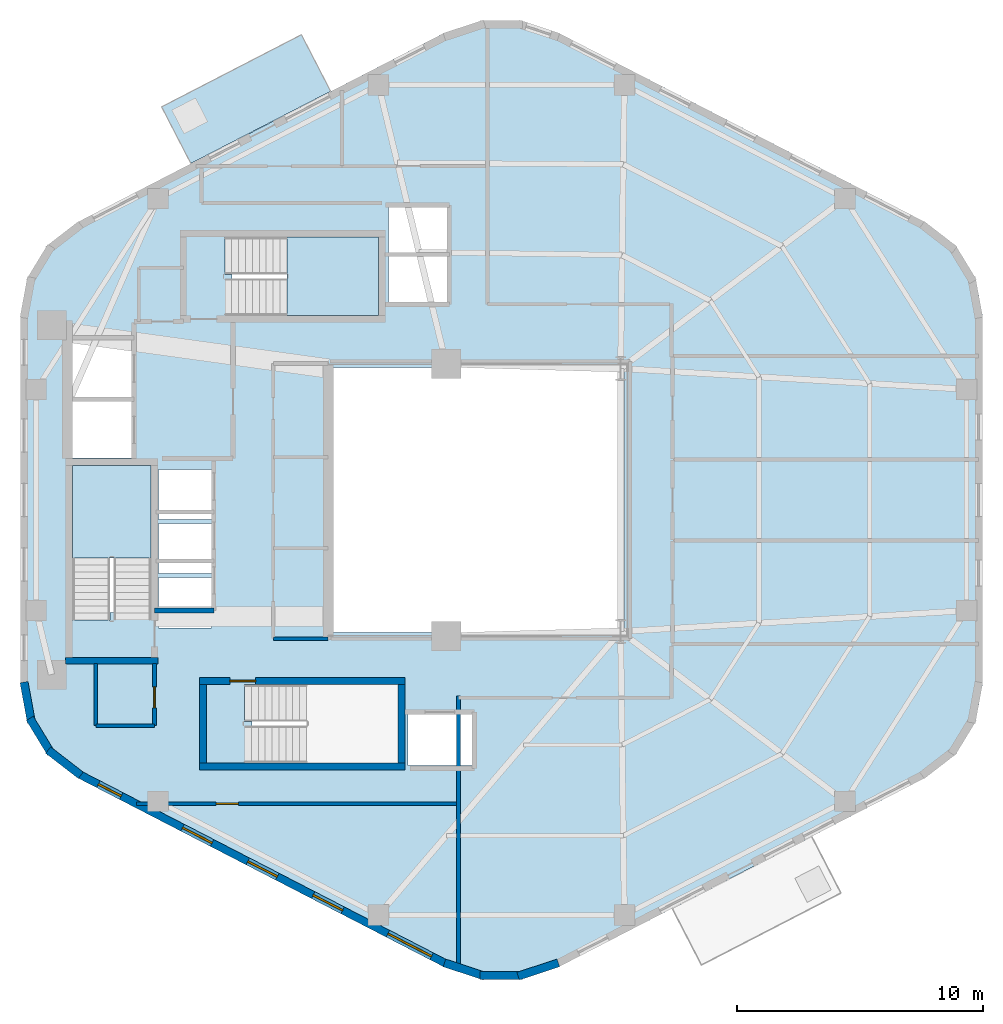
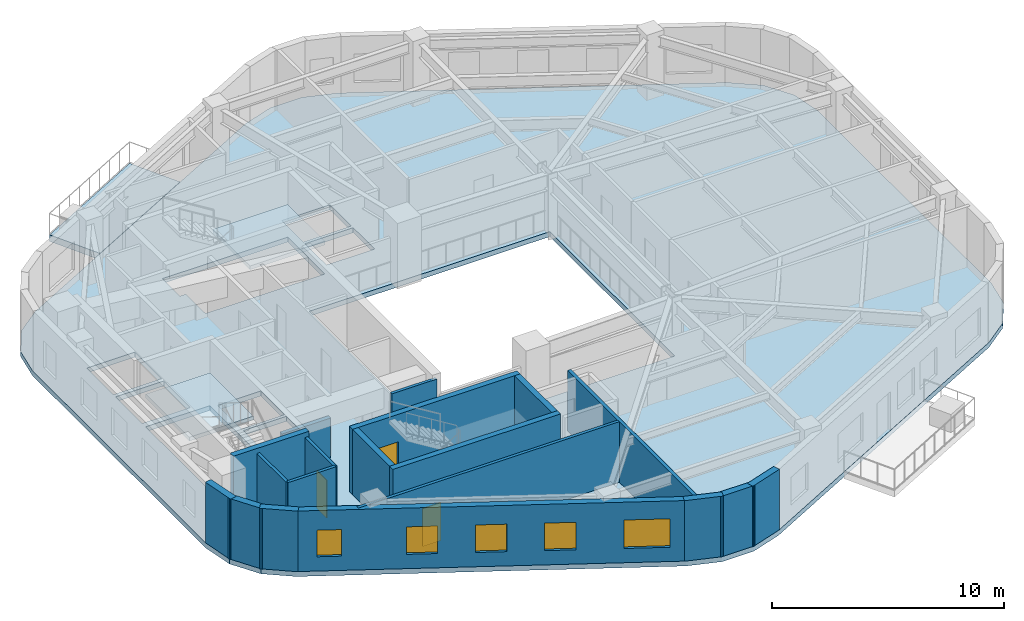
# One storey, part 2 of 8: 19 walls, 5 windows, 4 slabs, 3 doors, 8 openings, 2 elements without a shape of their own.
"""IFC4 building model written with IfcOpenShell, lengths in metres."""

from ifc_helpers import new_model, si_unit, direction, frame, frame_2d, origin, place, context, subcontext, project, spatial, polyline, rectangle, outline, extrude, material, layer, layer_set, type_object, element, fill, aggregate, save


model = new_model("IFC4")

# Units and contexts
model_context = context("Model", 3, precision=1e-05, world=origin(), true_north=direction((0.0, 1.0)))
body_context = subcontext(model_context, "Body", "Model", "MODEL_VIEW")
ifc_project = project(units=[si_unit("LENGTHUNIT", "METRE"), si_unit("AREAUNIT", "SQUARE_METRE"), si_unit("VOLUMEUNIT", "CUBIC_METRE"), si_unit("PLANEANGLEUNIT", "RADIAN"), si_unit("MASSUNIT", "GRAM", prefix="KILO"), si_unit("THERMODYNAMICTEMPERATUREUNIT", "KELVIN"), si_unit("POWERUNIT", "WATT")], contexts=[model_context])

# Site, building, storey
site_placement = place(None, origin())
site = spatial("IfcSite", under=ifc_project, at=site_placement, CompositionType="ELEMENT")
building_placement = place(site_placement, origin())
building = spatial("IfcBuilding", under=site, at=building_placement, Name="Skarre Station Tower", CompositionType="ELEMENT")
storey_placement = place(building_placement, frame((0.0, 0.0, 203.35009765625)))
storey = spatial("IfcBuildingStorey", under=building, at=storey_placement, Name="L55", CompositionType="ELEMENT", Elevation=203.35009765625)

# Slab
ifc_material_1 = material(Name="Precast concrete C50/60", Category="concrete")
ifc_layer_1 = layer(ifc_material_1, 0.340087890625, Name="Precast concrete C50/60")
ifc_layer_set_1 = layer_set([ifc_layer_1], Name="Precast concrete C50/60")
slab_type_1 = type_object("IfcSlabType", Name="Planted Tree-Balcony Cantilever Slab 340", PredefinedType="FLOOR", material=ifc_layer_set_1)
slab_1_placement = place(storey_placement, frame((0.0, 0.0, -0.340087890625)))
element("IfcSlab", 1, at=slab_1_placement, inside=storey, type_object=slab_type_1, Name="L55 Planted Tree-Balcony Deck TB-L55-F1", PredefinedType="FLOOR", context=body_context, shape_type="SweptSolid", body=[
    extrude(outline(polyline([(27.653076171875, 40.626953125), (21.966064453125, 37.69091796875), (20.778076171875, 39.992919921875), (26.465087890625, 42.927978515625), (27.653076171875, 40.626953125)])), origin(), (0.0, 0.0, 1.0), 0.340087890625),
])

# Stair, slab
ifc_material_2 = material(Name="Concrete C40/50", Category="concrete")
stair_type_1 = type_object("IfcStairType", Name="Reinforced Concrete Exit Stair ST-1", PredefinedType="HALF_TURN_STAIR", material=ifc_material_2)
stair_1_placement = place(storey_placement, origin())
stair_1 = element("IfcStair", 2, at=stair_1_placement, inside=storey, type_object=stair_type_1, Name="L55 Core Exit Stair ST-1", PredefinedType="HALF_TURN_STAIR")
ifc_layer_2 = layer(ifc_material_2, 0.219970703125, Name="Concrete C40/50")
ifc_layer_set_2 = layer_set([ifc_layer_2], Name="Concrete C40/50")
slab_type_2 = type_object("IfcSlabType", Name="Reinforced Concrete Stair & Ramp Landing 220", PredefinedType="LANDING", material=ifc_layer_set_2)
slab_2_placement = place(storey_placement, frame((0.0, 0.0, 1.52490234375)))
slab_2 = element("IfcSlab", 3, at=slab_2_placement, type_object=slab_type_2, Name="ST-1 landing 1", PredefinedType="LANDING", context=body_context, shape_type="SweptSolid", body=[
    extrude(outline(polyline([(20.35009765625, 21.639892578125), (20.35009765625, 25.39990234375), (17.14990234375, 25.39990234375), (17.14990234375, 21.639892578125), (20.35009765625, 21.639892578125)])), origin(), (0.0, 0.0, 1.0), 0.199951171875),
])
aggregate(stair_1, [slab_2])

stair_type_2 = type_object("IfcStairType", Name="Reinforced Concrete Exit Stair ST-3", PredefinedType="HALF_TURN_STAIR", material=ifc_material_2)
stair_2_placement = place(storey_placement, origin())
stair_2 = element("IfcStair", 4, at=stair_2_placement, inside=storey, type_object=stair_type_2, Name="L55 Core Exit Stair ST-3", PredefinedType="HALF_TURN_STAIR")
slab_3_placement = place(storey_placement, frame((0.0, 0.0, 1.52490234375)))
slab_3 = element("IfcSlab", 5, at=slab_3_placement, type_object=slab_type_2, Name="ST-3 landing 1", PredefinedType="LANDING", context=body_context, shape_type="SweptSolid", body=[
    extrude(outline(polyline([(25.8701171875, 31.5), (29.60009765625, 31.5), (29.60009765625, 34.699951171875), (25.8701171875, 34.699951171875), (25.8701171875, 31.5)])), origin(), (0.0, 0.0, 1.0), 0.199951171875),
])
aggregate(stair_2, [slab_3])

# Slab
ifc_material_3 = material(Name="Concrete C50/60", Category="concrete")
ifc_layer_3 = layer(ifc_material_3, 0.260009765625, Name="Concrete C50/60")
ifc_layer_set_3 = layer_set([ifc_layer_3], Name="Concrete C50/60")
slab_type_3 = type_object("IfcSlabType", Name="Tower Typical Composite Floor Slab 260", PredefinedType="FLOOR", material=ifc_layer_set_3)
slab_4_placement = place(storey_placement, frame((0.0, 0.0, -0.260009765625)))
element("IfcSlab", 6, at=slab_4_placement, inside=storey, type_object=slab_type_3, Name="L55 Zone 3 Structural Floor Slab", PredefinedType="FLOOR", context=body_context, shape_type="SweptSolid", body=[
    extrude(outline(polyline([(54.172119140625, 31.501953125), (53.89208984375, 33.02294921875), (53.0869140625, 34.344970703125), (51.863037109375, 35.291015625), (36.908935546875, 43.009033203125), (35.39599609375, 43.506103515625), (33.803955078125, 43.506103515625), (32.291015625, 43.009033203125), (17.3369140625, 35.291015625), (16.113037109375, 34.344970703125), (15.30810546875, 33.02294921875), (15.028076171875, 31.501953125), (15.028076171875, 16.498046875), (15.30810546875, 14.97705078125), (16.113037109375, 13.655029296875), (17.3369140625, 12.708984375), (32.291015625, 4.990966796875), (33.803955078125, 4.493896484375), (35.39599609375, 4.493896484375), (36.908935546875, 4.990966796875), (51.863037109375, 12.708984375), (53.0869140625, 13.655029296875), (53.89208984375, 14.97705078125), (54.172119140625, 16.498046875), (54.172119140625, 31.501953125)]), holes=[polyline([(18.669921875, 19.419921875), (18.669921875, 19.123046875), (17.14990234375, 19.123046875), (17.14990234375, 25.39990234375), (20.35009765625, 25.39990234375), (20.35009765625, 19.419921875), (18.669921875, 19.419921875)]), polyline([(24.449951171875, 14.97998046875), (24.153076171875, 14.97998046875), (24.153076171875, 16.5), (30.39990234375, 16.5), (30.39990234375, 13.300048828125), (24.449951171875, 13.300048828125), (24.449951171875, 14.97998046875)]), polyline([(23.64990234375, 33.179931640625), (23.35302734375, 33.179931640625), (23.35302734375, 34.699951171875), (29.60009765625, 34.699951171875), (29.60009765625, 31.5), (23.64990234375, 31.5), (23.64990234375, 33.179931640625)]), polyline([(17.14990234375, 28.0), (19.550048828125, 28.0), (19.550048828125, 25.699951171875), (17.14990234375, 25.699951171875), (17.14990234375, 28.0)]), polyline([(17.14990234375, 30.5), (19.550048828125, 30.5), (19.550048828125, 28.199951171875), (17.14990234375, 28.199951171875), (17.14990234375, 30.5)]), polyline([(30.800048828125, 15.300048828125), (33.39990234375, 15.300048828125), (33.39990234375, 13.199951171875), (30.800048828125, 13.199951171875), (30.800048828125, 15.300048828125)]), polyline([(20.64990234375, 20.85009765625), (22.800048828125, 20.85009765625), (22.800048828125, 18.800048828125), (20.64990234375, 18.800048828125), (20.64990234375, 20.85009765625)]), polyline([(20.64990234375, 23.050048828125), (22.800048828125, 23.050048828125), (22.800048828125, 21.0), (20.64990234375, 21.0), (20.64990234375, 23.050048828125)]), polyline([(20.64990234375, 25.25), (22.800048828125, 25.25), (22.800048828125, 23.199951171875), (20.64990234375, 23.199951171875), (20.64990234375, 25.25)]), polyline([(30.0, 33.89990234375), (32.39990234375, 33.89990234375), (32.39990234375, 32.050048828125), (30.0, 32.050048828125), (30.0, 33.89990234375)]), polyline([(30.0, 35.89990234375), (32.39990234375, 35.89990234375), (32.39990234375, 34.050048828125), (30.0, 34.050048828125), (30.0, 35.89990234375)]), polyline([(27.60009765625, 29.39990234375), (39.60009765625, 29.39990234375), (39.60009765625, 18.60009765625), (27.60009765625, 18.60009765625), (27.60009765625, 29.39990234375)])]), origin(), (0.0, 0.0, 1.0), 0.260009765625),
])

# Walls
ifc_material_4 = material(Name="Acoustic Steel-Stud Gypsum Partition", Category="steel")
ifc_layer_4 = layer(ifc_material_4, 0.14990234375, Name="Acoustic Steel-Stud Gypsum Partition")
ifc_layer_set_4 = layer_set([ifc_layer_4], Name="Acoustic Steel-Stud Gypsum Partition")
wall_type_1 = type_object("IfcWallType", Name="Fire-Rated Corridor Acoustic Partition 150", PredefinedType="PARTITIONING", material=ifc_layer_set_4)
wall_1_placement = place(storey_placement, frame((25.320068359375, 18.360107421875, 0.0), z_axis=(0.0, 0.0, 1.0), x_axis=(1.0, 0.0, 0.0)))
element("IfcWall", 7, at=wall_1_placement, inside=storey, type_object=wall_type_1, Name="L55 Interior Partition WL-PT-L55-RC2-S", PredefinedType="PARTITIONING", context=body_context, shape_type="SweptSolid", body=[
    extrude(rectangle(XDim=2.22998046875, YDim=0.14990234375, at=frame_2d((1.114990234375, 0.0))), origin(), (0.0, 0.0, 1.0), 3.18994140625),
])
wall_2_placement = place(storey_placement, frame((18.10009765625, 17.340087890625, 0.0), z_axis=(0.0, 0.0, 1.0), x_axis=(0.0, -1.0, 0.0)))
element("IfcWall", 8, at=wall_2_placement, inside=storey, type_object=wall_type_1, Name="L55 Interior Partition WL-PT-L55-CSVC-W", PredefinedType="PARTITIONING", context=body_context, shape_type="SweptSolid", body=[
    extrude(rectangle(XDim=2.52001953125, YDim=0.14990234375, at=frame_2d((1.260009765625, 0.0))), origin(), (0.0, 0.0, 1.0), 3.18994140625),
])
wall_3_placement = place(storey_placement, frame((18.10009765625, 14.820068359375, 0.0), z_axis=(0.0, 0.0, 1.0), x_axis=(1.0, 0.0, 0.0)))
element("IfcWall", 9, at=wall_3_placement, inside=storey, type_object=wall_type_1, Name="L55 Interior Partition WL-PT-L55-CSVC-S", PredefinedType="PARTITIONING", context=body_context, shape_type="SweptSolid", body=[
    extrude(rectangle(XDim=2.389892578125, YDim=0.14990234375, at=frame_2d((1.19482421875, 0.0))), origin(), (0.0, 0.0, 1.0), 3.18994140625),
])

# Wall, opening, door
wall_4_placement = place(storey_placement, frame((20.489990234375, 14.820068359375, 0.0), z_axis=(0.0, 0.0, 1.0), x_axis=(0.0, 1.0, 0.0)))
wall_4 = element("IfcWall", 10, at=wall_4_placement, inside=storey, type_object=wall_type_1, Name="L55 Interior Partition WL-PT-L55-CSVC-E", PredefinedType="PARTITIONING", context=body_context, shape_type="SweptSolid", body=[
    extrude(rectangle(XDim=2.52001953125, YDim=0.14990234375, at=frame_2d((1.260009765625, 0.0))), origin(), (0.0, 0.0, 1.0), 3.18994140625),
])
opening_1_placement = place(wall_4_placement, frame((0.719970703125, 0.0, 0.0)))
opening_1 = element("IfcOpeningElement", 11, at=opening_1_placement, cuts=wall_4, Name="Opening DR-SVC86", PredefinedType="OPENING", context=body_context, shape_type="SweptSolid", body=[
    extrude(rectangle(XDim=0.860107421875, YDim=2.0, at=frame_2d((0.43017578125, 1.0))), frame((0.0, 0.0849609375, 0.0), z_axis=(0.0, -1.0, 0.0), x_axis=(1.0, 0.0, 0.0)), (0.0, 0.0, 1.0), 0.169921875),
])
ifc_material_5 = material(Name="Powder-Coated Hollow-Metal Acoustic Fire Leaf", Category="steel")
door_type_1 = type_object("IfcDoorType", Name="Compact Riser Fire Door FD60 860x2100", OperationType="SINGLE_SWING_LEFT", PredefinedType="DOOR", material=ifc_material_5)
door_1_placement = place(opening_1_placement, origin())
door_1 = element("IfcDoor", 12, at=door_1_placement, inside=storey, type_object=door_type_1, Name="L55 Core Staff Toilet Door", OperationType="SINGLE_SWING_LEFT", OverallHeight=2.0, OverallWidth=0.860107421875, PredefinedType="DOOR", context=body_context, shape_type="SweptSolid", body=[
    extrude(rectangle(XDim=0.860107421875, YDim=2.0, at=frame_2d((0.43017578125, 1.0))), frame((0.0, 0.02490234375, 0.0), z_axis=(0.0, -1.0, 0.0), x_axis=(1.0, 0.0, 0.0)), (0.0, 0.0, 1.0), 0.050048828125),
])
fill(opening_1, door_1)

wall_5_placement = place(storey_placement, frame((19.757080078125, 11.639892578125, 0.0), z_axis=(0.0, 0.0, 1.0), x_axis=(1.0, 0.0, 0.0)))
wall_5 = element("IfcWall", 13, at=wall_5_placement, inside=storey, type_object=wall_type_1, Name="L55 Interior Partition WL-PT-L55-SWP-N", PredefinedType="PARTITIONING", context=body_context, shape_type="SweptSolid", body=[
    extrude(rectangle(XDim=13.093017578125, YDim=0.14990234375, at=frame_2d((6.54638671875, 0.0))), origin(), (0.0, 0.0, 1.0), 3.18994140625),
])
opening_2_placement = place(wall_5_placement, frame((3.242919921875, 0.0, 0.0)))
opening_2 = element("IfcOpeningElement", 14, at=opening_2_placement, cuts=wall_5, Name="Opening DR-SVC90", PredefinedType="OPENING", context=body_context, shape_type="SweptSolid", body=[
    extrude(rectangle(XDim=0.89990234375, YDim=2.0, at=frame_2d((0.449951171875, 1.0))), frame((0.0, 0.0849609375, 0.0), z_axis=(0.0, -1.0, 0.0), x_axis=(1.0, 0.0, 0.0)), (0.0, 0.0, 1.0), 0.169921875),
])
door_type_2 = type_object("IfcDoorType", Name="Service & Riser Fire Door FD60 900x2100", OperationType="SINGLE_SWING_LEFT", PredefinedType="DOOR", material=ifc_material_5)
door_2_placement = place(opening_2_placement, origin())
door_2 = element("IfcDoor", 15, at=door_2_placement, inside=storey, type_object=door_type_2, Name="L55 Floor Public Toilets Door", OperationType="SINGLE_SWING_LEFT", OverallHeight=2.0, OverallWidth=0.89990234375, PredefinedType="DOOR", context=body_context, shape_type="SweptSolid", body=[
    extrude(rectangle(XDim=0.89990234375, YDim=2.0, at=frame_2d((0.449951171875, 1.0))), frame((0.0, 0.02490234375, 0.0), z_axis=(0.0, -1.0, 0.0), x_axis=(1.0, 0.0, 0.0)), (0.0, 0.0, 1.0), 0.050048828125),
])
fill(opening_2, door_2)

# Walls
ifc_material_6 = material(Name="Precast concrete C45/55", Category="concrete")
ifc_layer_5 = layer(ifc_material_6, 0.330078125, Name="Precast concrete C45/55")
ifc_layer_set_5 = layer_set([ifc_layer_5], Name="Precast concrete C45/55")
wall_type_2 = type_object("IfcWallType", Name="Nordic Rounded Corner Precast Wall 330", PredefinedType="STANDARD", material=ifc_layer_set_5)
wall_6_placement = place(storey_placement, frame((17.489013671875, 12.800048828125, 0.0), z_axis=(0.0, 0.0, 1.0), x_axis=(-0.791409877269, 0.611285862884, 0.0)))
element("IfcWall", 16, at=wall_6_placement, inside=storey, type_object=wall_type_2, Name="L55 Rounded Corner Precast Wall F3-1", PredefinedType="STANDARD", context=body_context, shape_type="SweptSolid", body=[
    extrude(rectangle(XDim=1.676513671875, YDim=0.330078125, at=frame_2d((0.83837890625, 0.0))), origin(), (0.0, 0.0, 1.0), 3.18994140625),
])
wall_7_placement = place(storey_placement, frame((16.2880859375, 13.68505859375, 0.0), z_axis=(0.0, 0.0, 1.0), x_axis=(-0.520325409202, 0.853968072318, 0.0)))
element("IfcWall", 17, at=wall_7_placement, inside=storey, type_object=wall_type_2, Name="L55 Rounded Corner Precast Wall F3-2", PredefinedType="STANDARD", context=body_context, shape_type="SweptSolid", body=[
    extrude(rectangle(XDim=1.677978515625, YDim=0.330078125, at=frame_2d((0.8388671875, 0.0))), origin(), (0.0, 0.0, 1.0), 3.18994140625),
])
wall_8_placement = place(storey_placement, frame((15.48193359375, 14.943115234375, 0.0), z_axis=(0.0, 0.0, 1.0), x_axis=(-0.180717642671, 0.983535019014, 0.0)))
element("IfcWall", 18, at=wall_8_placement, inside=storey, type_object=wall_type_2, Name="L55 Rounded Corner Precast Wall F3-3", PredefinedType="STANDARD", context=body_context, shape_type="SweptSolid", body=[
    extrude(rectangle(XDim=1.676513671875, YDim=0.330078125, at=frame_2d((0.83837890625, 0.0))), origin(), (0.0, 0.0, 1.0), 3.18994140625),
])
wall_9_placement = place(storey_placement, frame((36.9189453125, 5.16796875, 0.0), z_axis=(0.0, 0.0, 1.0), x_axis=(-0.949937416267, -0.312440242569, 0.0)))
element("IfcWall", 19, at=wall_9_placement, inside=storey, type_object=wall_type_2, Name="L55 Rounded Corner Precast Wall F4-1", PredefinedType="STANDARD", context=body_context, shape_type="SweptSolid", body=[
    extrude(rectangle(XDim=1.72216796875, YDim=0.330078125, at=frame_2d((0.861083984375, 0.0))), origin(), (0.0, 0.0, 1.0), 3.18994140625),
])
wall_10_placement = place(storey_placement, frame((35.4609375, 4.658935546875, 0.0), z_axis=(0.0, 0.0, 1.0), x_axis=(-1.0, 0.0, 0.0)))
element("IfcWall", 20, at=wall_10_placement, inside=storey, type_object=wall_type_2, Name="L55 Rounded Corner Precast Wall F4-2", PredefinedType="STANDARD", context=body_context, shape_type="SweptSolid", body=[
    extrude(rectangle(XDim=1.721923828125, YDim=0.330078125, at=frame_2d((0.86083984375, 0.0))), origin(), (0.0, 0.0, 1.0), 3.18994140625),
])
wall_11_placement = place(storey_placement, frame((33.9169921875, 4.6298828125, 0.0), z_axis=(0.0, 0.0, 1.0), x_axis=(-0.949937416267, 0.312440242569, 0.0)))
element("IfcWall", 21, at=wall_11_placement, inside=storey, type_object=wall_type_2, Name="L55 Rounded Corner Precast Wall F4-3", PredefinedType="STANDARD", context=body_context, shape_type="SweptSolid", body=[
    extrude(rectangle(XDim=1.72216796875, YDim=0.330078125, at=frame_2d((0.861083984375, 0.0))), origin(), (0.0, 0.0, 1.0), 3.18994140625),
])

# Wall, openings, windows
ifc_layer_6 = layer(ifc_material_6, 0.31005859375, Name="Precast concrete C45/55")
ifc_layer_set_6 = layer_set([ifc_layer_6], Name="Precast concrete C45/55")
wall_type_3 = type_object("IfcWallType", Name="Nordic Upper-Zone Precast Facet Wall 310", PredefinedType="STANDARD", material=ifc_layer_set_6)
wall_12_placement = place(storey_placement, frame((32.362060546875, 5.12890625, 0.0), z_axis=(0.0, 0.0, 1.0), x_axis=(-0.888626188278, 0.458632202867, 0.0)))
wall_12 = element("IfcWall", 22, at=wall_12_placement, inside=storey, type_object=wall_type_3, Name="L55 Facet 3 Nordic Precast Masonry Wall", PredefinedType="STANDARD", context=body_context, shape_type="SweptSolid", body=[
    extrude(rectangle(XDim=16.828369140625, YDim=0.31005859375, at=frame_2d((8.4140625, 0.0))), origin(), (0.0, 0.0, 1.0), 3.18994140625),
])
opening_3_placement = place(wall_12_placement, frame((0.675048828125, 0.0, 0.75)))
opening_3 = element("IfcOpeningElement", 23, at=opening_3_placement, cuts=wall_12, Name="Opening WN-Z3A", PredefinedType="OPENING", context=body_context, shape_type="SweptSolid", body=[
    extrude(rectangle(XDim=2.0, YDim=1.5, at=frame_2d((1.0, 0.75))), frame((0.0, 0.1650390625, 0.0), z_axis=(0.0, -1.0, 0.0), x_axis=(1.0, 0.0, 0.0)), (0.0, 0.0, 1.0), 0.330078125),
])
opening_4_placement = place(wall_12_placement, frame((4.75, 0.0, 0.75)))
opening_4 = element("IfcOpeningElement", 24, at=opening_4_placement, cuts=wall_12, Name="Opening WN-Z3B", PredefinedType="OPENING", context=body_context, shape_type="SweptSolid", body=[
    extrude(rectangle(XDim=1.35009765625, YDim=1.449951171875, at=frame_2d((0.675048828125, 0.72509765625))), frame((0.0, 0.1650390625, 0.0), z_axis=(0.0, -1.0, 0.0), x_axis=(1.0, 0.0, 0.0)), (0.0, 0.0, 1.0), 0.330078125),
])
opening_5_placement = place(wall_12_placement, frame((7.739013671875, 0.0, 0.75)))
opening_5 = element("IfcOpeningElement", 25, at=opening_5_placement, cuts=wall_12, Name="Opening WN-Z3B", PredefinedType="OPENING", context=body_context, shape_type="SweptSolid", body=[
    extrude(rectangle(XDim=1.35009765625, YDim=1.449951171875, at=frame_2d((0.675048828125, 0.72509765625))), frame((0.0, 0.1650390625, 0.0), z_axis=(0.0, -1.0, 0.0), x_axis=(1.0, 0.0, 0.0)), (0.0, 0.0, 1.0), 0.330078125),
])
opening_6_placement = place(wall_12_placement, frame((10.72802734375, 0.0, 0.75)))
opening_6 = element("IfcOpeningElement", 26, at=opening_6_placement, cuts=wall_12, Name="Opening WN-Z3B", PredefinedType="OPENING", context=body_context, shape_type="SweptSolid", body=[
    extrude(rectangle(XDim=1.35009765625, YDim=1.449951171875, at=frame_2d((0.675048828125, 0.72509765625))), frame((0.0, 0.1650390625, 0.0), z_axis=(0.0, -1.0, 0.0), x_axis=(1.0, 0.0, 0.0)), (0.0, 0.0, 1.0), 0.330078125),
])
opening_7_placement = place(wall_12_placement, frame((14.885009765625, 0.0, 0.75)))
opening_7 = element("IfcOpeningElement", 27, at=opening_7_placement, cuts=wall_12, Name="Opening WN-SLT", PredefinedType="OPENING", context=body_context, shape_type="SweptSolid", body=[
    extrude(rectangle(XDim=1.050048828125, YDim=1.39990234375, at=frame_2d((0.52490234375, 0.699951171875))), frame((0.0, 0.1650390625, 0.0), z_axis=(0.0, -1.0, 0.0), x_axis=(1.0, 0.0, 0.0)), (0.0, 0.0, 1.0), 0.330078125),
])
ifc_material_7 = material(Name="Low-Iron Triple Glazing with Bronze Anodized Frame", Category="glass")
window_type_1 = type_object("IfcWindowType", Name="Nordic Corner Slot Window 1050x1400", PartitioningType="SINGLE_PANEL", PredefinedType="WINDOW", material=ifc_material_7)
window_1_placement = place(opening_7_placement, origin())
window_1 = element("IfcWindow", 28, at=window_1_placement, inside=storey, type_object=window_type_1, Name="L55 Facade Window WL-FAC-L55-F3-5", OverallHeight=1.39990234375, OverallWidth=1.050048828125, PartitioningType="SINGLE_PANEL", PredefinedType="WINDOW", context=body_context, shape_type="SweptSolid", body=[
    extrude(rectangle(XDim=1.050048828125, YDim=1.39990234375, at=frame_2d((0.52490234375, 0.699951171875))), frame((0.0, 0.030029296875, 0.0), z_axis=(0.0, -1.0, 0.0), x_axis=(1.0, 0.0, 0.0)), (0.0, 0.0, 1.0), 0.06005859375),
])
fill(opening_7, window_1)
window_type_2 = type_object("IfcWindowType", Name="Nordic Hospitality Narrow Window 1350x1450", PartitioningType="SINGLE_PANEL", PredefinedType="WINDOW", material=ifc_material_7)
window_2_placement = place(opening_4_placement, origin())
window_2 = element("IfcWindow", 29, at=window_2_placement, inside=storey, type_object=window_type_2, Name="L55 Facade Window WL-FAC-L55-F3-2", OverallHeight=1.449951171875, OverallWidth=1.35009765625, PartitioningType="SINGLE_PANEL", PredefinedType="WINDOW", context=body_context, shape_type="SweptSolid", body=[
    extrude(rectangle(XDim=1.35009765625, YDim=1.449951171875, at=frame_2d((0.675048828125, 0.72509765625))), frame((0.0, 0.030029296875, 0.0), z_axis=(0.0, -1.0, 0.0), x_axis=(1.0, 0.0, 0.0)), (0.0, 0.0, 1.0), 0.06005859375),
])
fill(opening_4, window_2)
window_3_placement = place(opening_5_placement, origin())
window_3 = element("IfcWindow", 30, at=window_3_placement, inside=storey, type_object=window_type_2, Name="L55 Facade Window WL-FAC-L55-F3-3", OverallHeight=1.449951171875, OverallWidth=1.35009765625, PartitioningType="SINGLE_PANEL", PredefinedType="WINDOW", context=body_context, shape_type="SweptSolid", body=[
    extrude(rectangle(XDim=1.35009765625, YDim=1.449951171875, at=frame_2d((0.675048828125, 0.72509765625))), frame((0.0, 0.030029296875, 0.0), z_axis=(0.0, -1.0, 0.0), x_axis=(1.0, 0.0, 0.0)), (0.0, 0.0, 1.0), 0.06005859375),
])
fill(opening_5, window_3)
window_4_placement = place(opening_6_placement, origin())
window_4 = element("IfcWindow", 31, at=window_4_placement, inside=storey, type_object=window_type_2, Name="L55 Facade Window WL-FAC-L55-F3-4", OverallHeight=1.449951171875, OverallWidth=1.35009765625, PartitioningType="SINGLE_PANEL", PredefinedType="WINDOW", context=body_context, shape_type="SweptSolid", body=[
    extrude(rectangle(XDim=1.35009765625, YDim=1.449951171875, at=frame_2d((0.675048828125, 0.72509765625))), frame((0.0, 0.030029296875, 0.0), z_axis=(0.0, -1.0, 0.0), x_axis=(1.0, 0.0, 0.0)), (0.0, 0.0, 1.0), 0.06005859375),
])
fill(opening_6, window_4)
window_type_3 = type_object("IfcWindowType", Name="Nordic Hospitality Window 2000x1500", PartitioningType="SINGLE_PANEL", PredefinedType="WINDOW", material=ifc_material_7)
window_5_placement = place(opening_3_placement, origin())
window_5 = element("IfcWindow", 32, at=window_5_placement, inside=storey, type_object=window_type_3, Name="L55 Facade Window WL-FAC-L55-F3-1", OverallHeight=1.5, OverallWidth=2.0, PartitioningType="SINGLE_PANEL", PredefinedType="WINDOW", context=body_context, shape_type="SweptSolid", body=[
    extrude(rectangle(XDim=2.0, YDim=1.5, at=frame_2d((1.0, 0.75))), frame((0.0, 0.030029296875, 0.0), z_axis=(0.0, -1.0, 0.0), x_axis=(1.0, 0.0, 0.0)), (0.0, 0.0, 1.0), 0.06005859375),
])
fill(opening_3, window_5)

# Walls
ifc_layer_7 = layer(ifc_material_3, 0.280029296875, Name="Concrete C50/60")
ifc_layer_set_7 = layer_set([ifc_layer_7], Name="Concrete C50/60")
wall_type_4 = type_object("IfcWallType", Name="RC Core Shear Wall 280", PredefinedType="SHEAR", material=ifc_layer_set_7)
wall_13_placement = place(storey_placement, frame((16.8701171875, 17.4599609375, 0.0), z_axis=(0.0, 0.0, 1.0), x_axis=(1.0, 0.0, 0.0)))
element("IfcWall", 33, at=wall_13_placement, inside=storey, type_object=wall_type_4, Name="L55 Stair ST-1 South Shear Wall", PredefinedType="SHEAR", context=body_context, shape_type="SweptSolid", body=[
    extrude(rectangle(XDim=3.759765625, YDim=0.280029296875, at=frame_2d((1.8798828125, 0.0))), origin(), (0.0, 0.0, 1.0), 3.449951171875),
])
wall_14_placement = place(storey_placement, frame((22.320068359375, 13.159912109375, 0.0), z_axis=(0.0, 0.0, 1.0), x_axis=(1.0, 0.0, 0.0)))
element("IfcWall", 34, at=wall_14_placement, inside=storey, type_object=wall_type_4, Name="L55 Stair ST-2 South Shear Wall", PredefinedType="SHEAR", context=body_context, shape_type="SweptSolid", body=[
    extrude(rectangle(XDim=8.35986328125, YDim=0.280029296875, at=frame_2d((4.179931640625, 0.0))), origin(), (0.0, 0.0, 1.0), 3.449951171875),
])

# Wall, opening, door
wall_15_placement = place(storey_placement, frame((30.679931640625, 16.639892578125, 0.0), z_axis=(0.0, 0.0, 1.0), x_axis=(-1.0, 0.0, 0.0)))
wall_15 = element("IfcWall", 35, at=wall_15_placement, inside=storey, type_object=wall_type_4, Name="L55 Stair ST-2 North Shear Wall", PredefinedType="SHEAR", context=body_context, shape_type="SweptSolid", body=[
    extrude(rectangle(XDim=8.35986328125, YDim=0.280029296875, at=frame_2d((4.179931640625, 0.0))), origin(), (0.0, 0.0, 1.0), 3.449951171875),
])
opening_8_placement = place(wall_15_placement, frame((6.080078125, 0.0, 0.0)))
opening_8 = element("IfcOpeningElement", 36, at=opening_8_placement, cuts=wall_15, Name="Opening DR-FD90", PredefinedType="OPENING", context=body_context, shape_type="SweptSolid", body=[
    extrude(rectangle(XDim=1.050048828125, YDim=2.0, at=frame_2d((0.52490234375, 1.0))), frame((0.0, 0.14990234375, 0.0), z_axis=(0.0, -1.0, 0.0), x_axis=(1.0, 0.0, 0.0)), (0.0, 0.0, 1.0), 0.300048828125),
])
ifc_material_8 = material(Name="Fire-Rated Insulated Steel Frame & Timber Core Leaf", Category="steel")
door_type_3 = type_object("IfcDoorType", Name="Stair & FSAE Lobby Fire Door FD90 1050x2150", OperationType="SINGLE_SWING_RIGHT", PredefinedType="DOOR", material=ifc_material_8)
door_3_placement = place(opening_8_placement, origin())
door_3 = element("IfcDoor", 37, at=door_3_placement, inside=storey, type_object=door_type_3, Name="L55 Stair ST-2 Exit Door", OperationType="SINGLE_SWING_RIGHT", OverallHeight=2.0, OverallWidth=1.050048828125, PredefinedType="DOOR", context=body_context, shape_type="SweptSolid", body=[
    extrude(rectangle(XDim=1.050048828125, YDim=2.0, at=frame_2d((0.52490234375, 1.0))), frame((0.0, 0.02490234375, 0.0), z_axis=(0.0, -1.0, 0.0), x_axis=(1.0, 0.0, 0.0)), (0.0, 0.0, 1.0), 0.050048828125),
])
fill(opening_8, door_3)

# Walls
for number, where, z_axis, x_axis, name in (
    (38, (22.4599609375, 16.5, 0.0), (0.0, 0.0, 1.0), (0.0, -1.0, 0.0), "L55 Stair ST-2 West Shear Wall"),
    (39, (30.5400390625, 13.300048828125, 0.0), (0.0, 0.0, 1.0), (0.0, 1.0, 0.0), "L55 Stair ST-2 East Shear Wall"),
):
    element("IfcWall", number, at=place(storey_placement, frame(where, z_axis=z_axis, x_axis=x_axis)), inside=storey, type_object=wall_type_4, Name=name, PredefinedType="SHEAR", context=body_context, shape_type="SweptSolid", body=[
        extrude(rectangle(XDim=3.199951171875, YDim=0.280029296875, at=frame_2d((1.60009765625, 0.0))), origin(), (0.0, 0.0, 1.0), 3.449951171875),
    ])
ifc_material_9 = material(Name="Gypsum Concrete Shaft Assembly C30/37", Category="concrete")
ifc_layer_8 = layer(ifc_material_9, 0.199951171875, Name="Gypsum Concrete Shaft Assembly C30/37")
ifc_layer_set_8 = layer_set([ifc_layer_8], Name="Gypsum Concrete Shaft Assembly C30/37")
wall_type_5 = type_object("IfcWallType", Name="Shaft & Core Fire Partition 200", PredefinedType="PARTITIONING", material=ifc_layer_set_8)
wall_16_placement = place(storey_placement, frame((20.489990234375, 19.5, 0.0), z_axis=(0.0, 0.0, 1.0), x_axis=(1.0, 0.0, 0.0)))
element("IfcWall", 40, at=wall_16_placement, inside=storey, type_object=wall_type_5, Name="L55 Interior Partition WL-PT-L55-B3-S", PredefinedType="PARTITIONING", context=body_context, shape_type="SweptSolid", body=[
    extrude(rectangle(XDim=2.409912109375, YDim=0.199951171875, at=frame_2d((1.205078125, 0.0))), origin(), (0.0, 0.0, 1.0), 2.08984375),
])
ifc_layer_9 = layer(ifc_material_4, 0.1650390625, Name="Acoustic Steel-Stud Gypsum Partition")
ifc_layer_set_9 = layer_set([ifc_layer_9], Name="Acoustic Steel-Stud Gypsum Partition")
wall_type_6 = type_object("IfcWallType", Name="Suite Demising Acoustic Partition 165", PredefinedType="PARTITIONING", material=ifc_layer_set_9)
wall_17_placement = place(storey_placement, frame((32.85009765625, 4.97607421875, 0.0), z_axis=(0.0, 0.0, 1.0), x_axis=(0.0, 1.0, 0.0)))
element("IfcWall", 41, at=wall_17_placement, inside=storey, type_object=wall_type_6, Name="L55 Interior Partition WL-PT-L55-SWP-E", PredefinedType="PARTITIONING", context=body_context, shape_type="SweptSolid", body=[
    extrude(rectangle(XDim=11.053955078125, YDim=0.1650390625, at=frame_2d((5.52685546875, 0.0))), origin(), (0.0, 0.0, 1.0), 3.18994140625),
])

save(model, "model.ifc")
